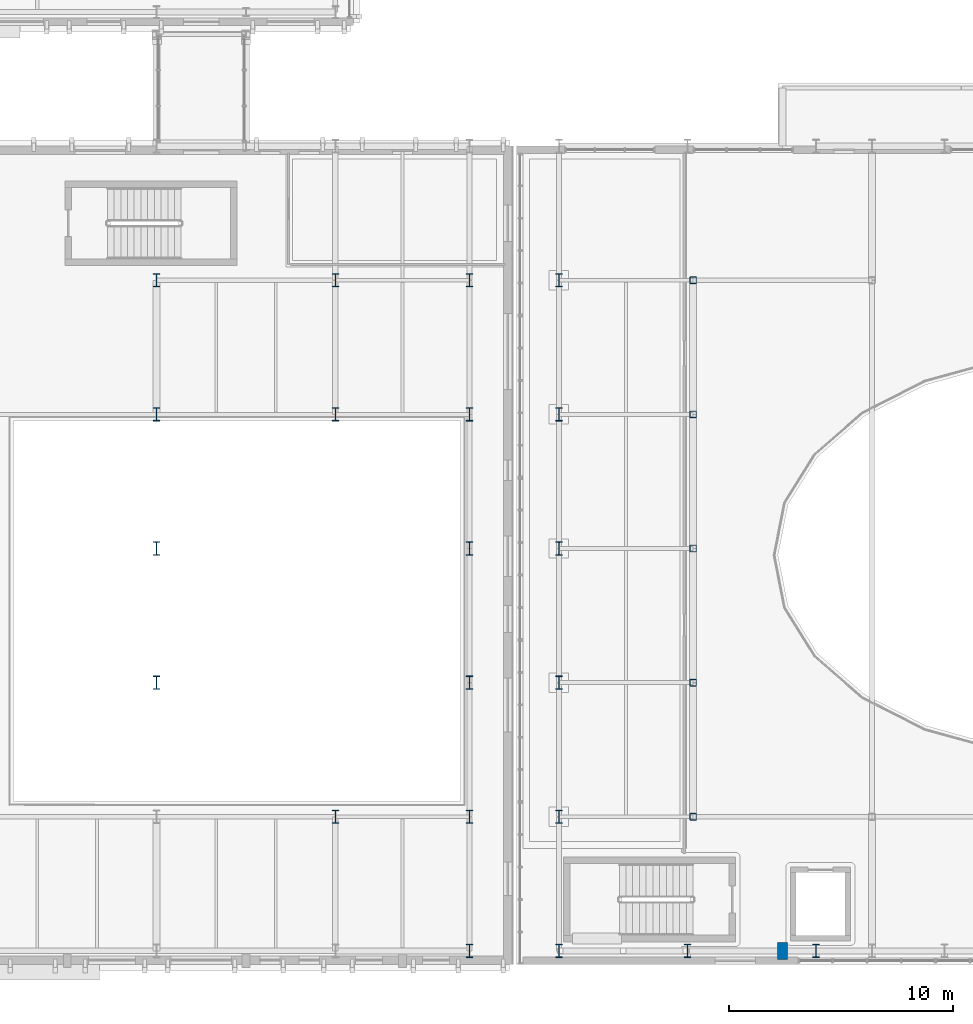
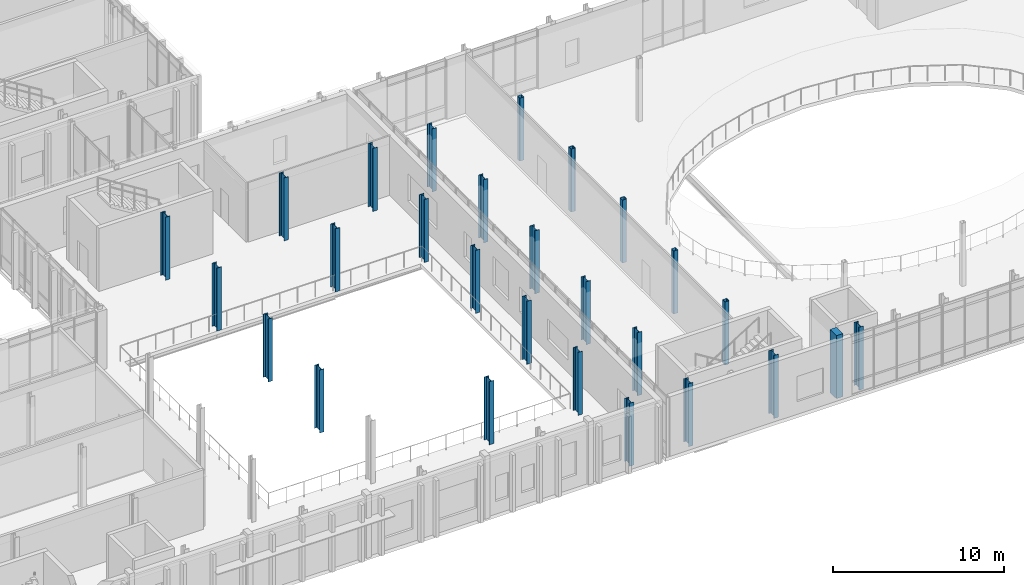
# One storey, part 2 of 100: 27 columns.
"""IFC4 building model written with IfcOpenShell, lengths in metres."""

from ifc_helpers import new_model, si_unit, direction, frame, origin, origin_2d, place, context, subcontext, project, spatial, rectangle, hollow_rectangle, i_section, extrude, material, material_profile, profile_set, type_object, element, save


model = new_model("IFC4")

# Units and contexts
model_context = context("Model", 3, precision=1e-05, world=origin(), true_north=direction((0.0, 1.0)))
body_context = subcontext(model_context, "Body", "Model", "MODEL_VIEW")
ifc_project = project(units=[si_unit("LENGTHUNIT", "METRE"), si_unit("AREAUNIT", "SQUARE_METRE"), si_unit("VOLUMEUNIT", "CUBIC_METRE"), si_unit("PLANEANGLEUNIT", "RADIAN"), si_unit("MASSUNIT", "GRAM", prefix="KILO")], contexts=[model_context])

# Site, building, storey
site_placement = place(None, origin())
site = spatial("IfcSite", under=ifc_project, at=site_placement, CompositionType="ELEMENT")
building_placement = place(site_placement, origin())
building = spatial("IfcBuilding", under=site, at=building_placement, Name="Cymarion Research Institute", CompositionType="ELEMENT")
storey_placement = place(building_placement, frame((0.0, 0.0, 4.800048828125)))
storey = spatial("IfcBuildingStorey", under=building, at=storey_placement, Name="L01", CompositionType="ELEMENT", Elevation=4.800048828125)

# Columns
ifc_material_1 = material(Name="Concrete C40/50", Category="concrete")
ifc_material_profile_1 = material_profile(ifc_material_1, rectangle(XDim=0.449951171875, YDim=0.75, at=origin_2d()), Name="RC 450x750")
ifc_profile_set_1 = profile_set([ifc_material_profile_1], Name="Concrete C40/50")
column_type_1 = type_object("IfcColumnType", Name="CONCRETE PILASTER PL03 RC 450x750", PredefinedType="PILASTER", material=ifc_profile_set_1)
column_placement = place(storey_placement, frame((66.60009765625, 5.5, 0.0), z_axis=(0.0, 0.0, 1.0), x_axis=(1.0, 0.0, 0.0)))
element("IfcColumn", 1, at=column_placement, inside=storey, type_object=column_type_1, Name="L01 V2 column PL03 #571", PredefinedType="PILASTER", context=body_context, shape_type="SweptSolid", body=[
    extrude(rectangle(XDim=0.449951171875, YDim=0.75, at=origin_2d()), origin(), (0.0, 0.0, 1.0), 4.5),
])
ifc_material_2 = material(Name="Steel S355", Category="steel")
ifc_material_profile_2 = material_profile(ifc_material_2, i_section(OverallWidth=0.300048828125, OverallDepth=0.60009765625, WebThickness=0.015380859375, FlangeThickness=0.030029296875, FilletRadius=0.027099609375, at=origin_2d()), Name="HEB 600")
ifc_profile_set_2 = profile_set([ifc_material_profile_2], Name="Steel S355")
column_type_2 = type_object("IfcColumnType", Name="STRUCTURAL COLUMN C02 HEB 600", PredefinedType="COLUMN", material=ifc_profile_set_2)
for number, where, z_axis, x_axis, name in (
    (2, (38.60009765625, 17.5, 0.0), (0.0, 0.0, 1.0), (1.0, 0.0, 0.0), "L01 V3 column C02 #516"),
    (3, (38.60009765625, 23.5, 0.0), (0.0, 0.0, 1.0), (1.0, 0.0, 0.0), "L01 V3 column C02 #517"),
    (4, (38.60009765625, 29.5, 0.0), (0.0, 0.0, 1.0), (1.0, 0.0, 0.0), "L01 V3 column C02 #518"),
    (5, (38.60009765625, 35.5, 0.0), (0.0, 0.0, 1.0), (1.0, 0.0, 0.0), "L01 V3 column C02 #519"),
    (6, (46.60009765625, 11.5, 0.0), (0.0, 0.0, 1.0), (1.0, 0.0, 0.0), "L01 V3 column C02 #537"),
    (7, (46.60009765625, 29.5, 0.0), (0.0, 0.0, 1.0), (1.0, 0.0, 0.0), "L01 V3 column C02 #538"),
    (8, (46.60009765625, 35.5, 0.0), (0.0, 0.0, 1.0), (1.0, 0.0, 0.0), "L01 V3 column C02 #539"),
    (9, (52.60009765625, 5.5, 0.0), (0.0, 0.0, 1.0), (1.0, 0.0, 0.0), "L01 V3 column C02 #550"),
    (10, (52.60009765625, 11.5, 0.0), (0.0, 0.0, 1.0), (1.0, 0.0, 0.0), "L01 V3 column C02 #551"),
    (11, (52.60009765625, 17.5, 0.0), (0.0, 0.0, 1.0), (1.0, 0.0, 0.0), "L01 V3 column C02 #552"),
    (12, (52.60009765625, 23.5, 0.0), (0.0, 0.0, 1.0), (1.0, 0.0, 0.0), "L01 V3 column C02 #553"),
    (13, (52.60009765625, 29.5, 0.0), (0.0, 0.0, 1.0), (1.0, 0.0, 0.0), "L01 V3 column C02 #554"),
    (14, (52.60009765625, 35.5, 0.0), (0.0, 0.0, 1.0), (1.0, 0.0, 0.0), "L01 V3 column C02 #555"),
    (15, (56.60009765625, 5.5, 0.0), (0.0, 0.0, 1.0), (1.0, 0.0, 0.0), "L01 V2 column C02 #557"),
    (16, (56.60009765625, 11.5, 0.0), (0.0, 0.0, 1.0), (1.0, 0.0, 0.0), "L01 V2 column C02 #558"),
    (17, (56.60009765625, 17.5, 0.0), (0.0, 0.0, 1.0), (1.0, 0.0, 0.0), "L01 V2 column C02 #559"),
    (18, (56.60009765625, 23.5, 0.0), (0.0, 0.0, 1.0), (1.0, 0.0, 0.0), "L01 V2 column C02 #560"),
    (19, (56.60009765625, 29.5, 0.0), (0.0, 0.0, 1.0), (1.0, 0.0, 0.0), "L01 V2 column C02 #561"),
    (20, (56.60009765625, 35.5, 0.0), (0.0, 0.0, 1.0), (1.0, 0.0, 0.0), "L01 V2 column C02 #562"),
    (21, (62.35009765625, 5.5, 0.0), (0.0, 0.0, 1.0), (1.0, 0.0, 0.0), "L01 V2 column C02 #564"),
    (22, (68.10009765625, 5.5, 0.0), (0.0, 0.0, 1.0), (1.0, 0.0, 0.0), "L01 V2 column C02 #572"),
):
    element("IfcColumn", number, at=place(storey_placement, frame(where, z_axis=z_axis, x_axis=x_axis)), inside=storey, type_object=column_type_2, Name=name, PredefinedType="COLUMN", context=body_context, shape_type="SweptSolid", body=[
        extrude(i_section(OverallWidth=0.300048828125, OverallDepth=0.60009765625, WebThickness=0.015380859375, FlangeThickness=0.030029296875, FilletRadius=0.027099609375, at=origin_2d()), origin(), (0.0, 0.0, 1.0), 4.5),
    ])
ifc_material_profile_3 = material_profile(ifc_material_2, hollow_rectangle(XDim=0.300048828125, YDim=0.300048828125, WallThickness=0.012451171875, InnerFilletRadius=0.018798828125, OuterFilletRadius=0.03125, at=origin_2d()), Name="SHS 300x300x12.5")
ifc_profile_set_3 = profile_set([ifc_material_profile_3], Name="Steel S355")
column_type_3 = type_object("IfcColumnType", Name="STRUCTURAL COLUMN C14 SHS 300x300x12.5", PredefinedType="COLUMN", material=ifc_profile_set_3)
for number, where, z_axis, x_axis, name in (
    (23, (62.60009765625, 11.5, 0.0), (0.0, 0.0, 1.0), (1.0, 0.0, 0.0), "L01 V2 column C14 #566"),
    (24, (62.60009765625, 17.5, 0.0), (0.0, 0.0, 1.0), (1.0, 0.0, 0.0), "L01 V2 column C14 #567"),
    (25, (62.60009765625, 23.5, 0.0), (0.0, 0.0, 1.0), (1.0, 0.0, 0.0), "L01 V2 column C14 #568"),
    (26, (62.60009765625, 29.5, 0.0), (0.0, 0.0, 1.0), (1.0, 0.0, 0.0), "L01 V2 column C14 #569"),
    (27, (62.60009765625, 35.5, 0.0), (0.0, 0.0, 1.0), (1.0, 0.0, 0.0), "L01 V2 column C14 #570"),
):
    element("IfcColumn", number, at=place(storey_placement, frame(where, z_axis=z_axis, x_axis=x_axis)), inside=storey, type_object=column_type_3, Name=name, PredefinedType="COLUMN", context=body_context, shape_type="SweptSolid", body=[
        extrude(hollow_rectangle(XDim=0.300048828125, YDim=0.300048828125, WallThickness=0.012451171875, InnerFilletRadius=0.018798828125, OuterFilletRadius=0.03125, at=origin_2d()), origin(), (0.0, 0.0, 1.0), 4.5),
    ])

save(model, "model.ifc")
